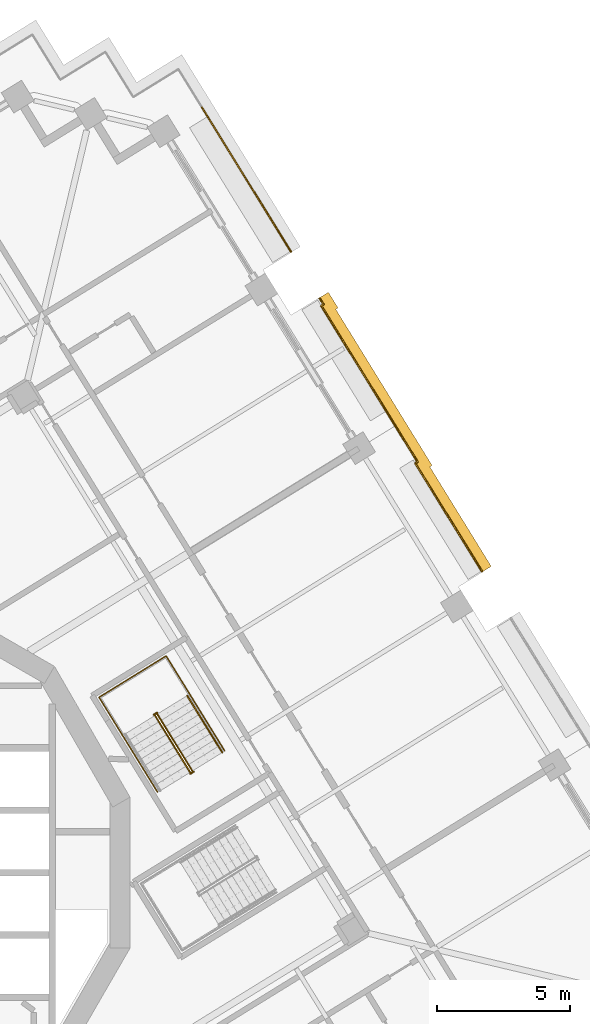
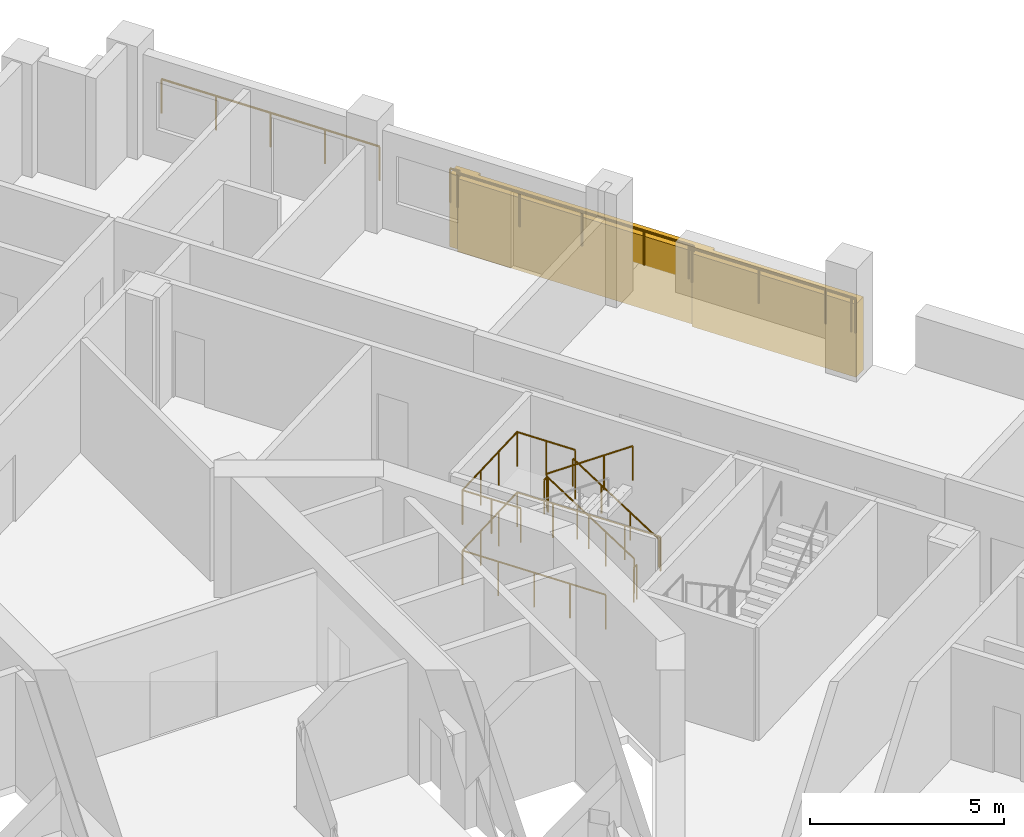
# One storey, part 18 of 20: 9 railings, 1 covering.
"""IFC4 building model written with IfcOpenShell, lengths in metres."""

from ifc_helpers import new_model, si_unit, direction, frame, origin, origin_2d, place, context, subcontext, project, spatial, polyline, circle, outline, extrude, material, type_object, element, save


model = new_model("IFC4")

# Units and contexts
model_context = context("Model", 3, precision=1e-05, world=origin(), true_north=direction((0.0, 1.0)))
body_context = subcontext(model_context, "Body", "Model", "MODEL_VIEW")
ifc_project = project(units=[si_unit("LENGTHUNIT", "METRE"), si_unit("AREAUNIT", "SQUARE_METRE"), si_unit("VOLUMEUNIT", "CUBIC_METRE"), si_unit("PLANEANGLEUNIT", "RADIAN"), si_unit("MASSUNIT", "GRAM", prefix="KILO")], contexts=[model_context])

# Site, building, storey
site_placement = place(None, origin())
site = spatial("IfcSite", under=ifc_project, at=site_placement, CompositionType="ELEMENT")
building_placement = place(site_placement, origin())
building = spatial("IfcBuilding", under=site, at=building_placement, Name="Cantera Rosa Tower", CompositionType="ELEMENT")
storey_placement = place(building_placement, frame((0.0, 0.0, 181.800048828125)))
storey = spatial("IfcBuildingStorey", under=building, at=storey_placement, Name="L40", CompositionType="ELEMENT", Elevation=181.800048828125)

# Railings
ifc_material_1 = material(Name="Stainless steel and laminated glass", Category="steel")
railing_type_1 = type_object("IfcRailingType", Name="GUARD 1100", PredefinedType="BALUSTRADE", material=ifc_material_1)
railing_1_placement = place(storey_placement, frame((13.34130859375, 28.848876953125, 0.0)))
element("IfcRailing", 1, at=railing_1_placement, inside=storey, type_object=railing_type_1, Name="GUARD L40-7", PredefinedType="BALUSTRADE", context=body_context, shape_type="SweptSolid", body=[
    extrude(circle(Radius=0.030029296875, at=origin_2d()), frame((0.0, 0.0, 1.070068359375), z_axis=(0.524975434866, -0.851117378972, 0.0), x_axis=(0.851117378972, 0.524975434866, 0.0)), (0.0, 0.0, 1.0), 6.389892578125),
    extrude(circle(Radius=0.02490234375, at=origin_2d()), origin(), (0.0, 0.0, 1.0), 1.0400390625),
    extrude(circle(Radius=0.02490234375, at=origin_2d()), frame((0.838623046875, -1.359619140625, 0.0)), (0.0, 0.0, 1.0), 1.0400390625),
    extrude(circle(Radius=0.02490234375, at=origin_2d()), frame((1.67724609375, -2.71923828125, 0.0)), (0.0, 0.0, 1.0), 1.0400390625),
    extrude(circle(Radius=0.02490234375, at=origin_2d()), frame((2.515869140625, -4.078857421875, 0.0)), (0.0, 0.0, 1.0), 1.0400390625),
    extrude(circle(Radius=0.02490234375, at=origin_2d()), frame((3.3544921875, -5.4384765625, 0.0)), (0.0, 0.0, 1.0), 1.0400390625),
])
railing_2_placement = place(storey_placement, frame((21.39306640625, 15.605224609375, 0.0)))
element("IfcRailing", 2, at=railing_2_placement, inside=storey, type_object=railing_type_1, Name="GUARD L40-13", PredefinedType="BALUSTRADE", context=body_context, shape_type="SweptSolid", body=[
    extrude(circle(Radius=0.030029296875, at=origin_2d()), frame((0.0, 0.0, 1.070068359375), z_axis=(0.524867855115, -0.851183725565, 0.0), x_axis=(0.851183725565, 0.524867855115, 0.0)), (0.0, 0.0, 1.0), 0.141357421875),
    extrude(circle(Radius=0.030029296875, at=origin_2d()), frame((0.07421875, -0.120361328125, 1.070068359375), z_axis=(-0.851406933517, -0.524505704029, 0.0), x_axis=(0.524505704029, -0.851406933517, 0.0)), (0.0, 0.0, 1.0), 0.10009765625),
    extrude(circle(Radius=0.030029296875, at=origin_2d()), frame((-0.010986328125, -0.1728515625, 1.070068359375), z_axis=(0.474099823035, -0.880471099922, 0.0), x_axis=(0.880471099922, 0.474099823035, 0.0)), (0.0, 0.0, 1.0), 0.003662109375),
    extrude(circle(Radius=0.030029296875, at=origin_2d()), frame((-0.00927734375, -0.176025390625, 1.070068359375), z_axis=(0.524991077854, -0.851107730063, 0.0), x_axis=(0.851107730063, 0.524991077854, 0.0)), (0.0, 0.0, 1.0), 3.916015625),
    extrude(circle(Radius=0.030029296875, at=origin_2d()), frame((2.046630859375, -3.509033203125, 1.070068359375), z_axis=(0.524751121421, -0.85125569635, 0.0), x_axis=(0.85125569635, 0.524751121421, 0.0)), (0.0, 0.0, 1.0), 0.75),
    extrude(circle(Radius=0.030029296875, at=origin_2d()), frame((2.440185546875, -4.1474609375, 1.070068359375), z_axis=(0.707106781187, -0.707106781187, 0.0), x_axis=(0.707106781187, 0.707106781187, 0.0)), (0.0, 0.0, 1.0), 0.000244140625),
    extrude(circle(Radius=0.030029296875, at=origin_2d()), frame((2.4404296875, -4.147705078125, 1.070068359375), z_axis=(0.524666827089, -0.851307653292, 0.0), x_axis=(0.851307653292, 0.524666827089, 0.0)), (0.0, 0.0, 1.0), 0.11962890625),
    extrude(circle(Radius=0.02490234375, at=origin_2d()), origin(), (0.0, 0.0, 1.0), 1.0400390625),
    extrude(circle(Radius=0.02490234375, at=origin_2d()), frame((0.07421875, -0.120361328125, 0.0)), (0.0, 0.0, 1.0), 1.0400390625),
    extrude(circle(Radius=0.02490234375, at=origin_2d()), frame((-0.010986328125, -0.1728515625, 0.0)), (0.0, 0.0, 1.0), 1.0400390625),
    extrude(circle(Radius=0.02490234375, at=origin_2d()), frame((-0.00927734375, -0.176025390625, 0.0)), (0.0, 0.0, 1.0), 1.0400390625),
    extrude(circle(Radius=0.02490234375, at=origin_2d()), frame((1.0185546875, -1.842529296875, 0.0)), (0.0, 0.0, 1.0), 1.0400390625),
    extrude(circle(Radius=0.02490234375, at=origin_2d()), frame((2.046630859375, -3.509033203125, 0.0)), (0.0, 0.0, 1.0), 1.0400390625),
    extrude(circle(Radius=0.02490234375, at=origin_2d()), frame((2.440185546875, -4.1474609375, 0.0)), (0.0, 0.0, 1.0), 1.0400390625),
    extrude(circle(Radius=0.02490234375, at=origin_2d()), frame((2.4404296875, -4.147705078125, 0.0)), (0.0, 0.0, 1.0), 1.0400390625),
    extrude(circle(Radius=0.02490234375, at=origin_2d()), frame((2.503173828125, -4.24951171875, 0.0)), (0.0, 0.0, 1.0), 1.0400390625),
])
railing_3_placement = place(storey_placement, frame((17.77734375, 21.656982421875, 0.0)))
element("IfcRailing", 3, at=railing_3_placement, inside=storey, type_object=railing_type_1, Name="GUARD L40-14", PredefinedType="BALUSTRADE", context=body_context, shape_type="SweptSolid", body=[
    extrude(circle(Radius=0.030029296875, at=origin_2d()), frame((0.0, 0.0, 1.070068359375), z_axis=(0.524702988445, -0.851285365736, 0.0), x_axis=(0.851285365736, 0.524702988445, 0.0)), (0.0, 0.0, 1.0), 0.269775390625),
    extrude(circle(Radius=0.030029296875, at=origin_2d()), frame((0.1416015625, -0.229736328125, 1.070068359375), z_axis=(-0.851152604587, -0.524918320984, 0.0), x_axis=(0.524918320984, -0.851152604587, 0.0)), (0.0, 0.0, 1.0), 0.099609375),
    extrude(circle(Radius=0.030029296875, at=origin_2d()), frame((0.056884765625, -0.281982421875, 1.070068359375), z_axis=(0.52495392156, -0.851130648161, 0.0), x_axis=(0.851130648161, 0.52495392156, 0.0)), (0.0, 0.0, 1.0), 5.46923828125),
    extrude(circle(Radius=0.030029296875, at=origin_2d()), frame((2.927978515625, -4.93701171875, 1.070068359375), z_axis=(0.554700196225, -0.832050294338, 0.0), x_axis=(0.832050294338, 0.554700196225, 0.0)), (0.0, 0.0, 1.0), 0.0009765625),
    extrude(circle(Radius=0.030029296875, at=origin_2d()), frame((2.928466796875, -4.937744140625, 1.070068359375), z_axis=(0.525044093428, -0.851075026044, 0.0), x_axis=(0.851075026044, 0.525044093428, 0.0)), (0.0, 0.0, 1.0), 1.308837890625),
    extrude(circle(Radius=0.02490234375, at=origin_2d()), origin(), (0.0, 0.0, 1.0), 1.0400390625),
    extrude(circle(Radius=0.02490234375, at=origin_2d()), frame((0.1416015625, -0.229736328125, 0.0)), (0.0, 0.0, 1.0), 1.0400390625),
    extrude(circle(Radius=0.02490234375, at=origin_2d()), frame((0.056884765625, -0.281982421875, 0.0)), (0.0, 0.0, 1.0), 1.0400390625),
    extrude(circle(Radius=0.02490234375, at=origin_2d()), frame((1.013916015625, -1.833740234375, 0.0)), (0.0, 0.0, 1.0), 1.0400390625),
    extrude(circle(Radius=0.02490234375, at=origin_2d()), frame((1.970947265625, -3.38525390625, 0.0)), (0.0, 0.0, 1.0), 1.0400390625),
    extrude(circle(Radius=0.02490234375, at=origin_2d()), frame((2.927978515625, -4.93701171875, 0.0)), (0.0, 0.0, 1.0), 1.0400390625),
    extrude(circle(Radius=0.02490234375, at=origin_2d()), frame((2.928466796875, -4.937744140625, 0.0)), (0.0, 0.0, 1.0), 1.0400390625),
    extrude(circle(Radius=0.02490234375, at=origin_2d()), frame((3.61572265625, -6.0517578125, 0.0)), (0.0, 0.0, 1.0), 1.0400390625),
])
ifc_material_2 = material(Name="Steel S355J2 (EN 10025-2)", Category="steel")
railing_type_2 = type_object("IfcRailingType", Name="STAIR GUARD 1100", PredefinedType="GUARDRAIL", material=ifc_material_2)
railing_4_placement = place(storey_placement, frame((12.9765625, 3.834228515625, 0.18994140625)))
element("IfcRailing", 4, at=railing_4_placement, inside=storey, type_object=railing_type_2, Name="L40 ST-31 stair guard 1", PredefinedType="GUARDRAIL", context=body_context, shape_type="SweptSolid", body=[
    extrude(circle(Radius=0.02392578125, at=origin_2d()), frame((0.0, 0.0, 1.076171875), z_axis=(-0.434362572038, 0.70429590169, 0.561512634654), x_axis=(-0.851145618652, -0.524929648476, 0.0)), (0.0, 0.0, 1.0), 3.045166015625),
    extrude(circle(Radius=0.02392578125, at=origin_2d()), frame((-1.32275390625, 2.144775390625, 2.7861328125), z_axis=(-0.073711968402, 0.997279572494, 0.0), x_axis=(-0.997279572494, -0.073711968402, 0.0)), (0.0, 0.0, 1.0), 0.056396484375),
    extrude(circle(Radius=0.02392578125, at=origin_2d()), frame((-1.326904296875, 2.200927734375, 2.7861328125), z_axis=(-0.851546489876, -0.524279100842, 0.0), x_axis=(0.524279100842, -0.851546489876, 0.0)), (0.0, 0.0, 1.0), 0.14990234375),
    extrude(circle(Radius=0.02099609375, at=origin_2d()), origin(), (0.0, 0.0, 1.0), 1.052001953125),
    extrude(circle(Radius=0.02099609375, at=origin_2d()), frame((-0.44091796875, 0.71484375, 0.570068359375)), (0.0, 0.0, 1.0), 1.052001953125),
    extrude(circle(Radius=0.02099609375, at=origin_2d()), frame((-0.8818359375, 1.429931640625, 1.139892578125)), (0.0, 0.0, 1.0), 1.052001953125),
    extrude(circle(Radius=0.02099609375, at=origin_2d()), frame((-1.32275390625, 2.144775390625, 1.7099609375)), (0.0, 0.0, 1.0), 1.052001953125),
    extrude(circle(Radius=0.02099609375, at=origin_2d()), frame((-1.326904296875, 2.200927734375, 1.7099609375)), (0.0, 0.0, 1.0), 1.052001953125),
    extrude(circle(Radius=0.02099609375, at=origin_2d()), frame((-1.45458984375, 2.122314453125, 1.7099609375)), (0.0, 0.0, 1.0), 1.052001953125),
])
railing_5_placement = place(storey_placement, frame((11.5703125, 5.927490234375, 2.08984375)))
element("IfcRailing", 5, at=railing_5_placement, inside=storey, type_object=railing_type_2, Name="L40 ST-31 stair guard 2", PredefinedType="GUARDRAIL", context=body_context, shape_type="SweptSolid", body=[
    extrude(circle(Radius=0.02392578125, at=origin_2d()), frame((0.0, 0.0, 1.076171875), z_axis=(0.434408057947, -0.704239673199, 0.561547969352), x_axis=(0.851102330005, 0.524999832248, 0.0)), (0.0, 0.0, 1.0), 3.04541015625),
    extrude(circle(Radius=0.02099609375, at=origin_2d()), origin(), (0.0, 0.0, 1.0), 1.052001953125),
    extrude(circle(Radius=0.02099609375, at=origin_2d()), frame((0.44091796875, -0.71484375, 0.570068359375)), (0.0, 0.0, 1.0), 1.052001953125),
    extrude(circle(Radius=0.02099609375, at=origin_2d()), frame((0.882080078125, -1.429931640625, 1.14013671875)), (0.0, 0.0, 1.0), 1.052001953125),
    extrude(circle(Radius=0.02099609375, at=origin_2d()), frame((1.322998046875, -2.144775390625, 1.710205078125)), (0.0, 0.0, 1.0), 1.052001953125),
])
railing_6_placement = place(storey_placement, frame((13.025146484375, 3.80517578125, 0.0)))
element("IfcRailing", 6, at=railing_6_placement, inside=storey, type_object=railing_type_2, Name="L40 ST-31 stair guard 3", PredefinedType="GUARDRAIL", context=body_context, shape_type="SweptSolid", body=[
    extrude(circle(Radius=0.02392578125, at=origin_2d()), frame((0.0, 0.0, 1.076171875), z_axis=(-0.851546489876, -0.524279100842, 0.0), x_axis=(0.524279100842, -0.851546489876, 0.0)), (0.0, 0.0, 1.0), 0.14990234375),
    extrude(circle(Radius=0.02099609375, at=origin_2d()), origin(), (0.0, 0.0, 1.0), 1.052001953125),
    extrude(circle(Radius=0.02099609375, at=origin_2d()), frame((-0.127685546875, -0.07861328125, 0.0)), (0.0, 0.0, 1.0), 1.052001953125),
])
railing_7_placement = place(storey_placement, frame((14.192626953125, 4.59814453125, 0.0)))
element("IfcRailing", 7, at=railing_7_placement, inside=storey, type_object=railing_type_2, Name="L40 ST-31 stair guard 4", PredefinedType="GUARDRAIL", context=body_context, shape_type="SweptSolid", body=[
    extrude(circle(Radius=0.02392578125, at=origin_2d()), frame((0.0, 0.0, 1.076171875), z_axis=(-0.524976478809, 0.851116735059, 0.0), x_axis=(-0.851116735059, -0.524976478809, 0.0)), (0.0, 0.0, 1.0), 4.197998046875),
    extrude(circle(Radius=0.02392578125, at=origin_2d()), frame((-2.203857421875, 3.572998046875, 1.076171875), z_axis=(-0.851132917336, -0.524950242429, 0.0), x_axis=(0.524950242429, -0.851132917336, 0.0)), (0.0, 0.0, 1.0), 2.969970703125),
    extrude(circle(Radius=0.02392578125, at=origin_2d()), frame((-4.731689453125, 2.013916015625, 1.076171875), z_axis=(0.524976478809, -0.851116735059, 0.0), x_axis=(0.851116735059, 0.524976478809, 0.0)), (0.0, 0.0, 1.0), 4.197998046875),
    extrude(circle(Radius=0.02099609375, at=origin_2d()), origin(), (0.0, 0.0, 1.0), 1.052001953125),
    extrude(circle(Radius=0.02099609375, at=origin_2d()), frame((-0.551025390625, 0.893310546875, 0.0)), (0.0, 0.0, 1.0), 1.052001953125),
    extrude(circle(Radius=0.02099609375, at=origin_2d()), frame((-1.10205078125, 1.78662109375, 0.0)), (0.0, 0.0, 1.0), 1.052001953125),
    extrude(circle(Radius=0.02099609375, at=origin_2d()), frame((-1.65283203125, 2.6796875, 0.0)), (0.0, 0.0, 1.0), 1.052001953125),
    extrude(circle(Radius=0.02099609375, at=origin_2d()), frame((-2.203857421875, 3.572998046875, 0.0)), (0.0, 0.0, 1.0), 1.052001953125),
    extrude(circle(Radius=0.02099609375, at=origin_2d()), frame((-3.04638671875, 3.05322265625, 0.0)), (0.0, 0.0, 1.0), 1.052001953125),
    extrude(circle(Radius=0.02099609375, at=origin_2d()), frame((-3.88916015625, 2.53369140625, 0.0)), (0.0, 0.0, 1.0), 1.052001953125),
    extrude(circle(Radius=0.02099609375, at=origin_2d()), frame((-4.731689453125, 2.013916015625, 0.0)), (0.0, 0.0, 1.0), 1.052001953125),
    extrude(circle(Radius=0.02099609375, at=origin_2d()), frame((-4.1806640625, 1.12060546875, 0.0)), (0.0, 0.0, 1.0), 1.052001953125),
    extrude(circle(Radius=0.02099609375, at=origin_2d()), frame((-3.6298828125, 0.2275390625, 0.0)), (0.0, 0.0, 1.0), 1.052001953125),
    extrude(circle(Radius=0.02099609375, at=origin_2d()), frame((-3.078857421875, -0.665771484375, 0.0)), (0.0, 0.0, 1.0), 1.052001953125),
    extrude(circle(Radius=0.02099609375, at=origin_2d()), frame((-2.52783203125, -1.55908203125, 0.0)), (0.0, 0.0, 1.0), 1.052001953125),
])
railing_8_placement = place(storey_placement, frame((12.88232421875, 6.72265625, 1.89990234375)))
element("IfcRailing", 8, at=railing_8_placement, inside=storey, type_object=railing_type_2, Name="L40 ST-31 stair guard 5", PredefinedType="GUARDRAIL", context=body_context, shape_type="SweptSolid", body=[
    extrude(circle(Radius=0.02392578125, at=origin_2d()), frame((0.0, 0.0, 1.076171875), z_axis=(-0.525025534833, 0.851086474909, 0.0), x_axis=(-0.851086474909, -0.525025534833, 0.0)), (0.0, 0.0, 1.0), 1.701904296875),
    extrude(circle(Radius=0.02392578125, at=origin_2d()), frame((-0.8935546875, 1.448486328125, 1.076171875), z_axis=(-0.851132917336, -0.524950242429, 0.0), x_axis=(0.524950242429, -0.851132917336, 0.0)), (0.0, 0.0, 1.0), 2.969970703125),
    extrude(circle(Radius=0.02392578125, at=origin_2d()), frame((-3.42138671875, -0.110595703125, 1.076171875), z_axis=(0.524961441845, -0.851126009811, 0.0), x_axis=(0.851126009811, 0.524961441845, 0.0)), (0.0, 0.0, 1.0), 1.7021484375),
    extrude(circle(Radius=0.02099609375, at=origin_2d()), origin(), (0.0, 0.0, 1.0), 1.052001953125),
    extrude(circle(Radius=0.02099609375, at=origin_2d()), frame((-0.44677734375, 0.72412109375, 0.0)), (0.0, 0.0, 1.0), 1.052001953125),
    extrude(circle(Radius=0.02099609375, at=origin_2d()), frame((-0.8935546875, 1.448486328125, 0.0)), (0.0, 0.0, 1.0), 1.052001953125),
    extrude(circle(Radius=0.02099609375, at=origin_2d()), frame((-1.736083984375, 0.9287109375, 0.0)), (0.0, 0.0, 1.0), 1.052001953125),
    extrude(circle(Radius=0.02099609375, at=origin_2d()), frame((-2.578857421875, 0.4091796875, 0.0)), (0.0, 0.0, 1.0), 1.052001953125),
    extrude(circle(Radius=0.02099609375, at=origin_2d()), frame((-3.42138671875, -0.110595703125, 0.0)), (0.0, 0.0, 1.0), 1.052001953125),
    extrude(circle(Radius=0.02099609375, at=origin_2d()), frame((-2.974609375, -0.8349609375, 0.0)), (0.0, 0.0, 1.0), 1.052001953125),
    extrude(circle(Radius=0.02099609375, at=origin_2d()), frame((-2.52783203125, -1.559326171875, 0.0)), (0.0, 0.0, 1.0), 1.052001953125),
])
ifc_material_3 = material(Name="Steel S355J2 (EN 10025-2)", Category="steel")
railing_type_3 = type_object("IfcRailingType", Name="STAIR HANDRAIL 900", PredefinedType="HANDRAIL", material=ifc_material_3)
railing_9_placement = place(storey_placement, frame((14.105224609375, 4.5302734375, 0.18994140625)))
element("IfcRailing", 9, at=railing_9_placement, inside=storey, type_object=railing_type_3, Name="L40 ST-31 stair handrail 1", PredefinedType="HANDRAIL", context=body_context, shape_type="SweptSolid", body=[
    extrude(circle(Radius=0.02392578125, at=origin_2d()), frame((0.0, 0.0, 0.8759765625), z_axis=(-0.434427613125, 0.704271375033, 0.561493080334), x_axis=(-0.851102330005, -0.524999832248, 0.0)), (0.0, 0.0, 1.0), 3.04541015625),
    extrude(circle(Radius=0.02099609375, at=origin_2d()), origin(), (0.0, 0.0, 1.0), 0.851806640625),
    extrude(circle(Radius=0.02099609375, at=origin_2d()), frame((-0.44091796875, 0.71484375, 0.570068359375)), (0.0, 0.0, 1.0), 0.851806640625),
    extrude(circle(Radius=0.02099609375, at=origin_2d()), frame((-0.882080078125, 1.429931640625, 1.139892578125)), (0.0, 0.0, 1.0), 0.851806640625),
    extrude(circle(Radius=0.02099609375, at=origin_2d()), frame((-1.322998046875, 2.144775390625, 1.7099609375)), (0.0, 0.0, 1.0), 0.851806640625),
])

# Covering
ifc_material_4 = material(Name="Cantera stone", Category="masonry")
covering_type = type_object("IfcCoveringType", Name="TRAY FASCIA 400", PredefinedType="CLADDING", material=ifc_material_4)
covering_placement = place(storey_placement, frame((0.0, 0.0, -1.400146484375)))
element("IfcCovering", 10, at=covering_placement, inside=storey, type_object=covering_type, Name="TRAY FASCIA L40-05", PredefinedType="CLADDING", context=body_context, shape_type="SweptSolid", body=[
    extrude(outline(polyline([(18.469482421875, 21.296875), (18.384521484375, 21.244384765625), (22.017578125, 15.3544921875), (21.932373046875, 15.3017578125), (23.780029296875, 12.30615234375), (24.247314453125, 11.548583984375), (23.90673828125, 11.338623046875), (23.439453125, 12.09619140625), (21.3818359375, 15.432373046875), (21.46728515625, 15.48486328125), (17.834228515625, 21.375), (17.9189453125, 21.42724609375), (17.766845703125, 21.674072265625), (18.107177734375, 21.884033203125), (18.469482421875, 21.296875)])), origin(), (0.0, 0.0, 1.0), 2.300048828125),
])

save(model, "model.ifc")
